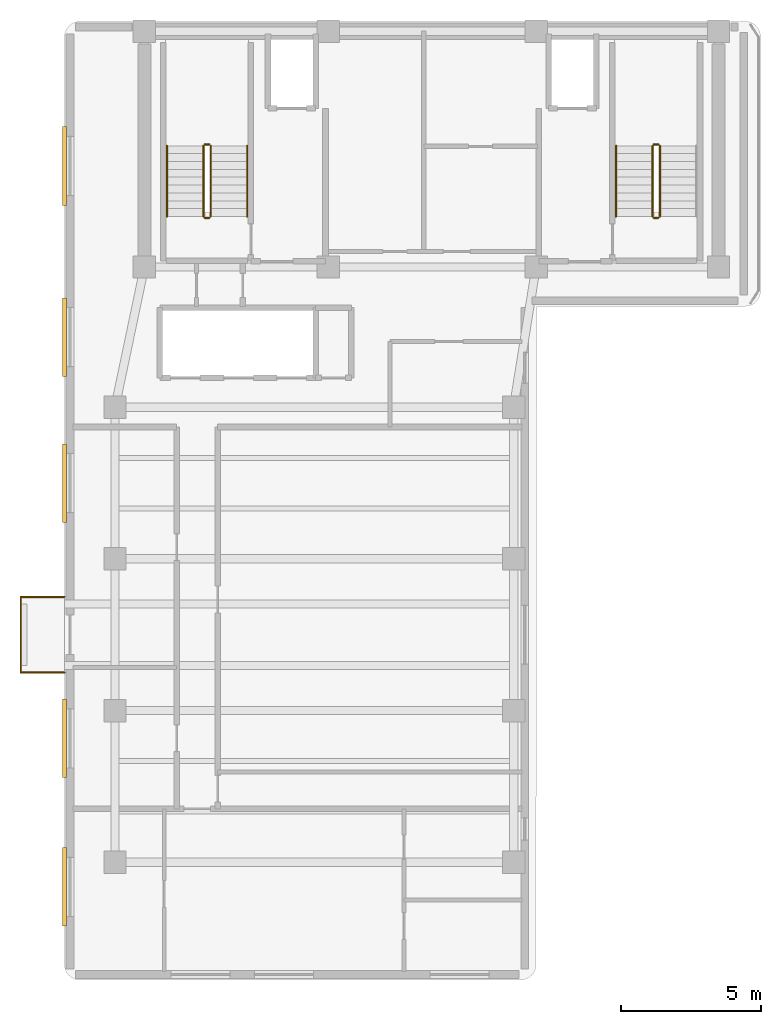
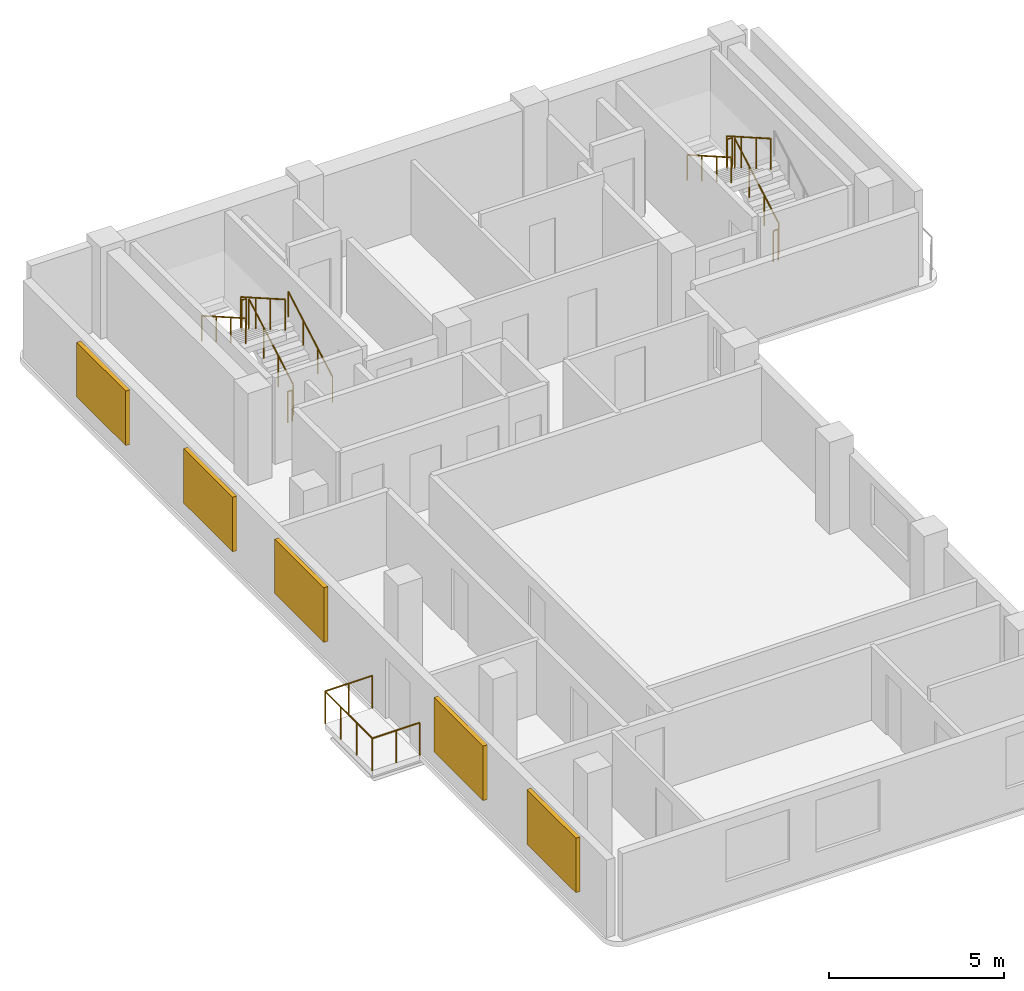
# One storey, part 4 of 5: 14 railings, 5 shading devices.
"""IFC4 building model written with IfcOpenShell, lengths in metres."""

from ifc_helpers import new_model, si_unit, direction, frame, origin, origin_2d, place, context, subcontext, project, spatial, rectangle, circle, extrude, material, layer, layer_set, type_object, element, save


model = new_model("IFC4")

# Units and contexts
model_context = context("Model", 3, precision=1e-05, world=origin(), true_north=direction((0.0, 1.0)))
body_context = subcontext(model_context, "Body", "Model", "MODEL_VIEW")
ifc_project = project(units=[si_unit("LENGTHUNIT", "METRE"), si_unit("AREAUNIT", "SQUARE_METRE"), si_unit("VOLUMEUNIT", "CUBIC_METRE"), si_unit("PLANEANGLEUNIT", "RADIAN"), si_unit("MASSUNIT", "GRAM", prefix="KILO")], contexts=[model_context])

# Site, building, storey
site_placement = place(None, origin())
site = spatial("IfcSite", under=ifc_project, at=site_placement, CompositionType="ELEMENT")
building_placement = place(site_placement, origin())
building = spatial("IfcBuilding", under=site, at=building_placement, Name="Kuzgunbayir Cultural Tower", CompositionType="ELEMENT")
storey_placement = place(building_placement, frame((0.0, 0.0, 231.199951171875)))
storey = spatial("IfcBuildingStorey", under=building, at=storey_placement, Name="L68", CompositionType="ELEMENT", Elevation=231.199951171875)

# Railings
ifc_material_1 = material(Name="Laminated Glass and Stainless Steel", Category="steel")
ifc_layer_1 = layer(ifc_material_1, 0.080078125)
ifc_layer_set_1 = layer_set([ifc_layer_1], Name="Laminated Glass and Stainless Steel")
railing_type_1 = type_object("IfcRailingType", Name="RLG-BAL-115", PredefinedType="BALUSTRADE", material=ifc_layer_set_1)
railing_1_placement = place(storey_placement, frame((3.60009765625, 19.35009765625, 0.0)))
element("IfcRailing", 1, at=railing_1_placement, inside=storey, type_object=railing_type_1, Name="L68 Balcony Guard BAL-L68-WA2 Segment 1", PredefinedType="BALUSTRADE", context=body_context, shape_type="SweptSolid", body=[
    extrude(circle(Radius=0.02392578125, at=origin_2d()), frame((0.0, 0.0, 1.1259765625), z_axis=(-1.0, 0.0, 0.0), x_axis=(0.0, -1.0, 0.0)), (0.0, 0.0, 1.0), 1.56005859375),
    extrude(circle(Radius=0.02099609375, at=origin_2d()), origin(), (0.0, 0.0, 1.0), 1.101806640625),
    extrude(circle(Radius=0.02099609375, at=origin_2d()), frame((-0.780029296875, 0.0, 0.0)), (0.0, 0.0, 1.0), 1.101806640625),
    extrude(circle(Radius=0.02099609375, at=origin_2d()), frame((-1.56005859375, 0.0, 0.0)), (0.0, 0.0, 1.0), 1.101806640625),
])
railing_2_placement = place(storey_placement, frame((2.0400390625, 19.35009765625, 0.0)))
element("IfcRailing", 2, at=railing_2_placement, inside=storey, type_object=railing_type_1, Name="L68 Balcony Guard BAL-L68-WA2 Segment 2", PredefinedType="BALUSTRADE", context=body_context, shape_type="SweptSolid", body=[
    extrude(circle(Radius=0.02392578125, at=origin_2d()), frame((0.0, 0.0, 1.1259765625), z_axis=(0.0, 1.0, 0.0), x_axis=(-1.0, 0.0, 0.0)), (0.0, 0.0, 1.0), 2.699951171875),
    extrude(circle(Radius=0.02099609375, at=origin_2d()), origin(), (0.0, 0.0, 1.0), 1.101806640625),
    extrude(circle(Radius=0.02099609375, at=origin_2d()), frame((0.0, 0.89990234375, 0.0)), (0.0, 0.0, 1.0), 1.101806640625),
    extrude(circle(Radius=0.02099609375, at=origin_2d()), frame((0.0, 1.800048828125, 0.0)), (0.0, 0.0, 1.0), 1.101806640625),
    extrude(circle(Radius=0.02099609375, at=origin_2d()), frame((0.0, 2.699951171875, 0.0)), (0.0, 0.0, 1.0), 1.101806640625),
])
railing_3_placement = place(storey_placement, frame((2.0400390625, 22.050048828125, 0.0)))
element("IfcRailing", 3, at=railing_3_placement, inside=storey, type_object=railing_type_1, Name="L68 Balcony Guard BAL-L68-WA2 Segment 3", PredefinedType="BALUSTRADE", context=body_context, shape_type="SweptSolid", body=[
    extrude(circle(Radius=0.02392578125, at=origin_2d()), frame((0.0, 0.0, 1.1259765625), z_axis=(1.0, 0.0, 0.0), x_axis=(0.0, 1.0, 0.0)), (0.0, 0.0, 1.0), 1.56005859375),
    extrude(circle(Radius=0.02099609375, at=origin_2d()), origin(), (0.0, 0.0, 1.0), 1.101806640625),
    extrude(circle(Radius=0.02099609375, at=origin_2d()), frame((0.780029296875, 0.0, 0.0)), (0.0, 0.0, 1.0), 1.101806640625),
    extrude(circle(Radius=0.02099609375, at=origin_2d()), frame((1.56005859375, 0.0, 0.0)), (0.0, 0.0, 1.0), 1.101806640625),
])
ifc_material_2 = material(Name="Brushed Stainless Steel", Category="steel")
ifc_layer_2 = layer(ifc_material_2, 0.050048828125)
ifc_layer_set_2 = layer_set([ifc_layer_2], Name="Brushed Stainless Steel")
railing_type_2 = type_object("IfcRailingType", Name="RLG-STAIR-HANDRAIL", PredefinedType="HANDRAIL", material=ifc_layer_set_2)
railing_4_placement = place(storey_placement, frame((10.110107421875, 35.60009765625, 0.16015625)))
element("IfcRailing", 4, at=railing_4_placement, inside=storey, type_object=railing_type_2, Name="L68 ST-1 stair handrail 1", PredefinedType="HANDRAIL", context=body_context, shape_type="SweptSolid", body=[
    extrude(circle(Radius=0.02392578125, at=origin_2d()), frame((0.0, 0.0, 0.8759765625), z_axis=(0.0, 0.868253494771, 0.496120820787), x_axis=(-1.0, 0.0, 0.0)), (0.0, 0.0, 1.0), 2.90234375),
    extrude(circle(Radius=0.02099609375, at=origin_2d()), origin(), (0.0, 0.0, 1.0), 0.851806640625),
    extrude(circle(Radius=0.02099609375, at=origin_2d()), frame((0.0, 0.840087890625, 0.47998046875)), (0.0, 0.0, 1.0), 0.851806640625),
    extrude(circle(Radius=0.02099609375, at=origin_2d()), frame((0.0, 1.679931640625, 0.9599609375)), (0.0, 0.0, 1.0), 0.851806640625),
    extrude(circle(Radius=0.02099609375, at=origin_2d()), frame((0.0, 2.52001953125, 1.43994140625)), (0.0, 0.0, 1.0), 0.851806640625),
])
for number, where, name in (
    (5, (7.25, 38.1201171875, 1.760009765625), "L68 ST-1 stair handrail 2"),
    (6, (23.25, 38.1201171875, 1.760009765625), "L68 ST-2 stair handrail 2"),
):
    element("IfcRailing", number, at=place(storey_placement, frame(where)), inside=storey, type_object=railing_type_2, Name=name, PredefinedType="HANDRAIL", context=body_context, shape_type="SweptSolid", body=[
        extrude(circle(Radius=0.02392578125, at=origin_2d()), frame((0.0, 0.0, 0.8759765625), z_axis=(0.0, -0.868253494771, 0.496120820787), x_axis=(1.0, 0.0, 0.0)), (0.0, 0.0, 1.0), 2.90234375),
        extrude(circle(Radius=0.02099609375, at=origin_2d()), origin(), (0.0, 0.0, 1.0), 0.851806640625),
        extrude(circle(Radius=0.02099609375, at=origin_2d()), frame((0.0, -0.840087890625, 0.47998046875)), (0.0, 0.0, 1.0), 0.851806640625),
        extrude(circle(Radius=0.02099609375, at=origin_2d()), frame((0.0, -1.679931640625, 0.9599609375)), (0.0, 0.0, 1.0), 0.851806640625),
        extrude(circle(Radius=0.02099609375, at=origin_2d()), frame((0.0, -2.52001953125, 1.43994140625)), (0.0, 0.0, 1.0), 0.851806640625),
    ])
ifc_material_3 = material(Name="Painted Steel Balustrade", Category="steel")
ifc_layer_3 = layer(ifc_material_3, 0.06005859375)
ifc_layer_set_3 = layer_set([ifc_layer_3], Name="Painted Steel Balustrade")
railing_type_3 = type_object("IfcRailingType", Name="RLG-WELL-GUARD", PredefinedType="GUARDRAIL", material=ifc_layer_set_3)
railing_5_placement = place(storey_placement, frame((8.81005859375, 35.60009765625, 0.16015625)))
element("IfcRailing", 7, at=railing_5_placement, inside=storey, type_object=railing_type_3, Name="L68 ST-1 stair guard 1", PredefinedType="GUARDRAIL", context=body_context, shape_type="SweptSolid", body=[
    extrude(circle(Radius=0.02392578125, at=origin_2d()), frame((0.0, 0.0, 1.076171875), z_axis=(0.0, 0.868253494771, 0.496120820787), x_axis=(-1.0, 0.0, 0.0)), (0.0, 0.0, 1.0), 2.90234375),
    extrude(circle(Radius=0.02099609375, at=origin_2d()), origin(), (0.0, 0.0, 1.0), 1.052001953125),
    extrude(circle(Radius=0.02099609375, at=origin_2d()), frame((0.0, 0.840087890625, 0.47998046875)), (0.0, 0.0, 1.0), 1.052001953125),
    extrude(circle(Radius=0.02099609375, at=origin_2d()), frame((0.0, 1.679931640625, 0.9599609375)), (0.0, 0.0, 1.0), 1.052001953125),
    extrude(circle(Radius=0.02099609375, at=origin_2d()), frame((0.0, 2.52001953125, 1.43994140625)), (0.0, 0.0, 1.0), 1.052001953125),
])
railing_6_placement = place(storey_placement, frame((8.760009765625, 38.169921875, 1.60009765625)))
element("IfcRailing", 8, at=railing_6_placement, inside=storey, type_object=railing_type_3, Name="L68 ST-1 stair guard 2", PredefinedType="GUARDRAIL", context=body_context, shape_type="SweptSolid", body=[
    extrude(circle(Radius=0.02392578125, at=origin_2d()), frame((0.0, 0.0, 1.076171875), z_axis=(-1.0, 0.0, 0.0), x_axis=(0.0, -1.0, 0.0)), (0.0, 0.0, 1.0), 0.159912109375),
    extrude(circle(Radius=0.02099609375, at=origin_2d()), origin(), (0.0, 0.0, 1.0), 1.052001953125),
    extrude(circle(Radius=0.02099609375, at=origin_2d()), frame((-0.159912109375, 0.0, 0.0)), (0.0, 0.0, 1.0), 1.052001953125),
])
railing_7_placement = place(storey_placement, frame((8.550048828125, 38.1201171875, 1.760009765625)))
element("IfcRailing", 9, at=railing_7_placement, inside=storey, type_object=railing_type_3, Name="L68 ST-1 stair guard 3", PredefinedType="GUARDRAIL", context=body_context, shape_type="SweptSolid", body=[
    extrude(circle(Radius=0.02392578125, at=origin_2d()), frame((0.0, 0.0, 1.076171875), z_axis=(0.0, -0.868253494771, 0.496120820787), x_axis=(1.0, 0.0, 0.0)), (0.0, 0.0, 1.0), 2.90234375),
    extrude(circle(Radius=0.02099609375, at=origin_2d()), origin(), (0.0, 0.0, 1.0), 1.052001953125),
    extrude(circle(Radius=0.02099609375, at=origin_2d()), frame((0.0, -0.840087890625, 0.47998046875)), (0.0, 0.0, 1.0), 1.052001953125),
    extrude(circle(Radius=0.02099609375, at=origin_2d()), frame((0.0, -1.679931640625, 0.9599609375)), (0.0, 0.0, 1.0), 1.052001953125),
    extrude(circle(Radius=0.02099609375, at=origin_2d()), frame((0.0, -2.52001953125, 1.43994140625)), (0.0, 0.0, 1.0), 1.052001953125),
])
railing_8_placement = place(storey_placement, frame((8.760009765625, 35.550048828125, 0.0)))
element("IfcRailing", 10, at=railing_8_placement, inside=storey, type_object=railing_type_3, Name="L68 ST-1 stair guard 4", PredefinedType="GUARDRAIL", context=body_context, shape_type="SweptSolid", body=[
    extrude(circle(Radius=0.02392578125, at=origin_2d()), frame((0.0, 0.0, 1.076171875), z_axis=(-1.0, 0.0, 0.0), x_axis=(0.0, -1.0, 0.0)), (0.0, 0.0, 1.0), 0.159912109375),
    extrude(circle(Radius=0.02099609375, at=origin_2d()), origin(), (0.0, 0.0, 1.0), 1.052001953125),
    extrude(circle(Radius=0.02099609375, at=origin_2d()), frame((-0.159912109375, 0.0, 0.0)), (0.0, 0.0, 1.0), 1.052001953125),
])
railing_9_placement = place(storey_placement, frame((24.81005859375, 35.60009765625, 0.16015625)))
element("IfcRailing", 11, at=railing_9_placement, inside=storey, type_object=railing_type_3, Name="L68 ST-2 stair guard 1", PredefinedType="GUARDRAIL", context=body_context, shape_type="SweptSolid", body=[
    extrude(circle(Radius=0.02392578125, at=origin_2d()), frame((0.0, 0.0, 1.076171875), z_axis=(0.0, 0.868253494771, 0.496120820787), x_axis=(-1.0, 0.0, 0.0)), (0.0, 0.0, 1.0), 2.90234375),
    extrude(circle(Radius=0.02099609375, at=origin_2d()), origin(), (0.0, 0.0, 1.0), 1.052001953125),
    extrude(circle(Radius=0.02099609375, at=origin_2d()), frame((0.0, 0.840087890625, 0.47998046875)), (0.0, 0.0, 1.0), 1.052001953125),
    extrude(circle(Radius=0.02099609375, at=origin_2d()), frame((0.0, 1.679931640625, 0.9599609375)), (0.0, 0.0, 1.0), 1.052001953125),
    extrude(circle(Radius=0.02099609375, at=origin_2d()), frame((0.0, 2.52001953125, 1.43994140625)), (0.0, 0.0, 1.0), 1.052001953125),
])
railing_10_placement = place(storey_placement, frame((24.760009765625, 38.169921875, 1.60009765625)))
element("IfcRailing", 12, at=railing_10_placement, inside=storey, type_object=railing_type_3, Name="L68 ST-2 stair guard 2", PredefinedType="GUARDRAIL", context=body_context, shape_type="SweptSolid", body=[
    extrude(circle(Radius=0.02392578125, at=origin_2d()), frame((0.0, 0.0, 1.076171875), z_axis=(-1.0, 0.0, 0.0), x_axis=(0.0, -1.0, 0.0)), (0.0, 0.0, 1.0), 0.159912109375),
    extrude(circle(Radius=0.02099609375, at=origin_2d()), origin(), (0.0, 0.0, 1.0), 1.052001953125),
    extrude(circle(Radius=0.02099609375, at=origin_2d()), frame((-0.159912109375, 0.0, 0.0)), (0.0, 0.0, 1.0), 1.052001953125),
])
railing_11_placement = place(storey_placement, frame((24.550048828125, 38.1201171875, 1.760009765625)))
element("IfcRailing", 13, at=railing_11_placement, inside=storey, type_object=railing_type_3, Name="L68 ST-2 stair guard 3", PredefinedType="GUARDRAIL", context=body_context, shape_type="SweptSolid", body=[
    extrude(circle(Radius=0.02392578125, at=origin_2d()), frame((0.0, 0.0, 1.076171875), z_axis=(0.0, -0.868253494771, 0.496120820787), x_axis=(1.0, 0.0, 0.0)), (0.0, 0.0, 1.0), 2.90234375),
    extrude(circle(Radius=0.02099609375, at=origin_2d()), origin(), (0.0, 0.0, 1.0), 1.052001953125),
    extrude(circle(Radius=0.02099609375, at=origin_2d()), frame((0.0, -0.840087890625, 0.47998046875)), (0.0, 0.0, 1.0), 1.052001953125),
    extrude(circle(Radius=0.02099609375, at=origin_2d()), frame((0.0, -1.679931640625, 0.9599609375)), (0.0, 0.0, 1.0), 1.052001953125),
    extrude(circle(Radius=0.02099609375, at=origin_2d()), frame((0.0, -2.52001953125, 1.43994140625)), (0.0, 0.0, 1.0), 1.052001953125),
])
railing_12_placement = place(storey_placement, frame((24.760009765625, 35.550048828125, 0.0)))
element("IfcRailing", 14, at=railing_12_placement, inside=storey, type_object=railing_type_3, Name="L68 ST-2 stair guard 4", PredefinedType="GUARDRAIL", context=body_context, shape_type="SweptSolid", body=[
    extrude(circle(Radius=0.02392578125, at=origin_2d()), frame((0.0, 0.0, 1.076171875), z_axis=(-1.0, 0.0, 0.0), x_axis=(0.0, -1.0, 0.0)), (0.0, 0.0, 1.0), 0.159912109375),
    extrude(circle(Radius=0.02099609375, at=origin_2d()), origin(), (0.0, 0.0, 1.0), 1.052001953125),
    extrude(circle(Radius=0.02099609375, at=origin_2d()), frame((-0.159912109375, 0.0, 0.0)), (0.0, 0.0, 1.0), 1.052001953125),
])

# Shading devices
ifc_material_4 = material(Name="Perforated Bronze-Anodised Aluminium", Category="aluminium")
shading_device_type = type_object("IfcShadingDeviceType", Name="SHD-SOLAR-BRONZE", PredefinedType="JALOUSIE", material=ifc_material_4)
for number, where, z_axis, x_axis, name in (
    (15, (3.60009765625, 11.719970703125, 0.7001953125), (0.0, 0.0, 1.0), (1.0, 0.0, 0.0), "L68 Perforated Bronze Solar Screen WAW2"),
    (16, (3.60009765625, 17.010009765625, 0.7001953125), (0.0, 0.0, 1.0), (1.0, 0.0, 0.0), "L68 Perforated Bronze Solar Screen WAW6"),
    (17, (3.60009765625, 26.10009765625, 0.7001953125), (0.0, 0.0, 1.0), (1.0, 0.0, 0.0), "L68 Perforated Bronze Solar Screen WAW8"),
    (18, (3.60009765625, 31.300048828125, 0.7001953125), (0.0, 0.0, 1.0), (1.0, 0.0, 0.0), "L68 Perforated Bronze Solar Screen WAW9"),
    (19, (3.60009765625, 37.39990234375, 0.7001953125), (0.0, 0.0, 1.0), (1.0, 0.0, 0.0), "L68 Perforated Bronze Solar Screen WAW10"),
):
    element("IfcShadingDevice", number, at=place(storey_placement, frame(where, z_axis=z_axis, x_axis=x_axis)), inside=storey, type_object=shading_device_type, Name=name, PredefinedType="JALOUSIE", context=body_context, shape_type="SweptSolid", body=[
        extrude(rectangle(XDim=0.139892578125, YDim=2.800048828125, at=origin_2d()), origin(), (0.0, 0.0, 1.0), 1.89990234375),
    ])

save(model, "model.ifc")
